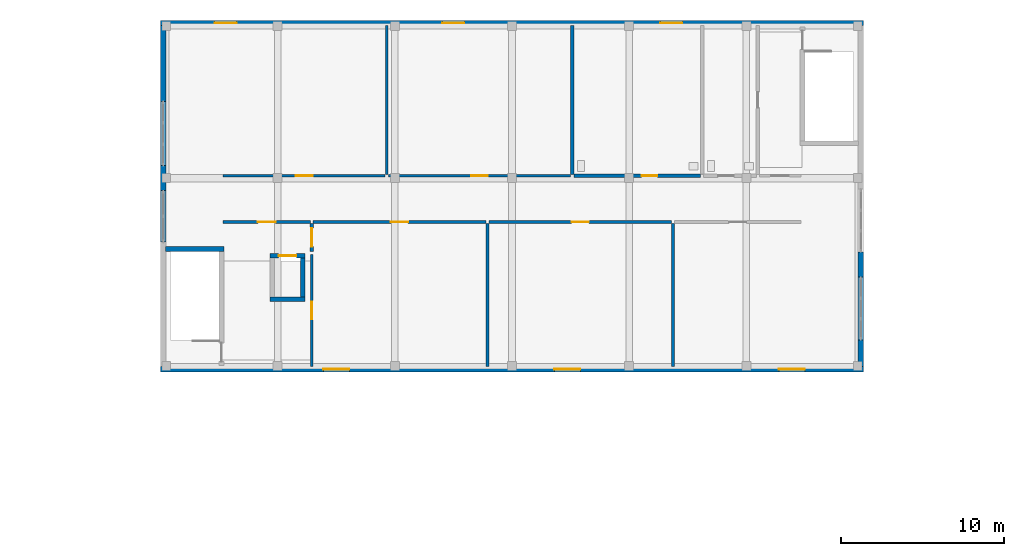
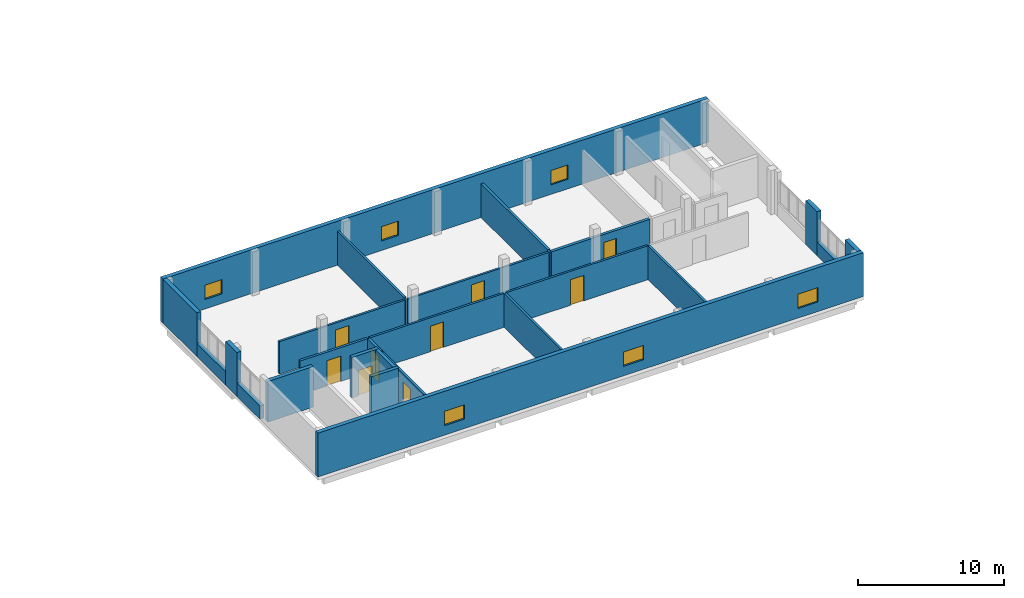
# One storey, part 44 of 73: 25 walls, 9 doors, 6 windows, 15 openings.
"""IFC4 building model written with IfcOpenShell, lengths in metres."""

from ifc_helpers import new_model, si_unit, derived_unit, direction, frame, frame_2d, origin, place, context, subcontext, project, spatial, rectangle, extrude, material, layer, layer_set, type_object, element, fill, save


model = new_model("IFC4")

# Units and contexts
model_context = context("Model", 3, precision=1e-05, world=origin(), true_north=direction((0.0, 1.0)))
body_context = subcontext(model_context, "Body", "Model", "MODEL_VIEW")
ifc_project = project(units=[si_unit("LENGTHUNIT", "METRE"), si_unit("AREAUNIT", "SQUARE_METRE"), si_unit("VOLUMEUNIT", "CUBIC_METRE"), si_unit("PLANEANGLEUNIT", "RADIAN"), si_unit("MASSUNIT", "GRAM", prefix="KILO"), derived_unit("THERMALTRANSMITTANCEUNIT", [(si_unit("MASSUNIT", "GRAM", prefix="KILO"), 1), (si_unit("TIMEUNIT", "SECOND"), -3), (si_unit("THERMODYNAMICTEMPERATUREUNIT", "KELVIN"), -1)])], contexts=[model_context])

# Site, building, storey
site_placement = place(None, origin())
site = spatial("IfcSite", under=ifc_project, at=site_placement, CompositionType="ELEMENT")
building_placement = place(site_placement, origin())
building = spatial("IfcBuilding", under=site, at=building_placement, Name="Ochrekiln Boulevard Commons", CompositionType="ELEMENT")
storey_placement = place(building_placement, frame((0.0, 0.0, 4.89990234375)))
storey = spatial("IfcBuildingStorey", under=building, at=storey_placement, Name="L01", CompositionType="ELEMENT", Elevation=4.89990234375)

# Wall, openings, windows
ifc_material_1 = material(Name="Desert ochre clinker brick masonry ASTM C216 Grade SW", Category="masonry")
ifc_layer_1 = layer(ifc_material_1, 0.320068359375)
ifc_layer_set_1 = layer_set([ifc_layer_1], Name="Desert ochre clinker brick masonry ASTM C216 Grade SW")
wall_type_1 = type_object("IfcWallType", Name="WL-EXT-OCHRE-320", PredefinedType="SOLIDWALL", material=ifc_layer_set_1)
wall_1_placement = place(storey_placement, frame((64.800048828125, 97.360107421875, 0.0), z_axis=(0.0, 0.0, 1.0), x_axis=(1.0, 0.0, 0.0)))
wall_1 = element("IfcWall", 1, at=wall_1_placement, inside=storey, type_object=wall_type_1, Name="Nursery Pavilion L01 S Exterior Wall", PredefinedType="SOLIDWALL", context=body_context, shape_type="SweptSolid", body=[
    extrude(rectangle(XDim=43.199951171875, YDim=0.320068359375, at=frame_2d((21.60009765625, 0.0))), origin(), (0.0, 0.0, 1.0), 3.675048828125),
])
opening_1_placement = place(wall_1_placement, frame((10.0, 0.0, 0.800048828125)))
opening_1 = element("IfcOpeningElement", 2, at=opening_1_placement, cuts=wall_1, Name="Opening W-31", PredefinedType="OPENING", context=body_context, shape_type="SweptSolid", body=[
    extrude(rectangle(XDim=1.60009765625, YDim=1.199951171875, at=frame_2d((0.800048828125, 0.60009765625))), frame((0.0, 0.169921875, 0.0), z_axis=(0.0, -1.0, 0.0), x_axis=(1.0, 0.0, 0.0)), (0.0, 0.0, 1.0), 0.340087890625),
])
opening_2_placement = place(wall_1_placement, frame((24.199951171875, 0.0, 0.800048828125)))
opening_2 = element("IfcOpeningElement", 3, at=opening_2_placement, cuts=wall_1, Name="Opening W-31", PredefinedType="OPENING", context=body_context, shape_type="SweptSolid", body=[
    extrude(rectangle(XDim=1.60009765625, YDim=1.199951171875, at=frame_2d((0.800048828125, 0.60009765625))), frame((0.0, 0.169921875, 0.0), z_axis=(0.0, -1.0, 0.0), x_axis=(1.0, 0.0, 0.0)), (0.0, 0.0, 1.0), 0.340087890625),
])
opening_3_placement = place(wall_1_placement, frame((38.0, 0.0, 0.800048828125)))
opening_3 = element("IfcOpeningElement", 4, at=opening_3_placement, cuts=wall_1, Name="Opening W-31", PredefinedType="OPENING", context=body_context, shape_type="SweptSolid", body=[
    extrude(rectangle(XDim=1.60009765625, YDim=1.199951171875, at=frame_2d((0.800048828125, 0.60009765625))), frame((0.0, 0.169921875, 0.0), z_axis=(0.0, -1.0, 0.0), x_axis=(1.0, 0.0, 0.0)), (0.0, 0.0, 1.0), 0.340087890625),
])
ifc_material_2 = material(Name="Thermally broken aluminium-clad oak frame", Category="aluminium")
window_type_1 = type_object("IfcWindowType", Name="WIN-EXT-31", PartitioningType="DOUBLE_PANEL_VERTICAL", PredefinedType="WINDOW", material=ifc_material_2)
window_1_placement = place(opening_1_placement, origin())
window_1 = element("IfcWindow", 5, at=window_1_placement, inside=storey, type_object=window_type_1, Name="Nursery L01 Play-Court Window 1", OverallHeight=1.199951171875, OverallWidth=1.60009765625, PartitioningType="DOUBLE_PANEL_VERTICAL", PredefinedType="WINDOW", context=body_context, shape_type="SweptSolid", body=[
    extrude(rectangle(XDim=1.60009765625, YDim=1.199951171875, at=frame_2d((0.800048828125, 0.60009765625))), frame((0.0, 0.030029296875, 0.0), z_axis=(0.0, -1.0, 0.0), x_axis=(1.0, 0.0, 0.0)), (0.0, 0.0, 1.0), 0.06005859375),
])
fill(opening_1, window_1)
window_2_placement = place(opening_2_placement, origin())
window_2 = element("IfcWindow", 6, at=window_2_placement, inside=storey, type_object=window_type_1, Name="Nursery L01 Play-Court Window 2", OverallHeight=1.199951171875, OverallWidth=1.60009765625, PartitioningType="DOUBLE_PANEL_VERTICAL", PredefinedType="WINDOW", context=body_context, shape_type="SweptSolid", body=[
    extrude(rectangle(XDim=1.60009765625, YDim=1.199951171875, at=frame_2d((0.800048828125, 0.60009765625))), frame((0.0, 0.030029296875, 0.0), z_axis=(0.0, -1.0, 0.0), x_axis=(1.0, 0.0, 0.0)), (0.0, 0.0, 1.0), 0.06005859375),
])
fill(opening_2, window_2)
window_3_placement = place(opening_3_placement, origin())
window_3 = element("IfcWindow", 7, at=window_3_placement, inside=storey, type_object=window_type_1, Name="Nursery L01 Play-Court Window 3", OverallHeight=1.199951171875, OverallWidth=1.60009765625, PartitioningType="DOUBLE_PANEL_VERTICAL", PredefinedType="WINDOW", context=body_context, shape_type="SweptSolid", body=[
    extrude(rectangle(XDim=1.60009765625, YDim=1.199951171875, at=frame_2d((0.800048828125, 0.60009765625))), frame((0.0, 0.030029296875, 0.0), z_axis=(0.0, -1.0, 0.0), x_axis=(1.0, 0.0, 0.0)), (0.0, 0.0, 1.0), 0.06005859375),
])
fill(opening_3, window_3)

wall_2_placement = place(storey_placement, frame((64.800048828125, 118.639892578125, 0.0), z_axis=(0.0, 0.0, 1.0), x_axis=(1.0, 0.0, 0.0)))
wall_2 = element("IfcWall", 8, at=wall_2_placement, inside=storey, type_object=wall_type_1, Name="Nursery Pavilion L01 N Exterior Wall", PredefinedType="SOLIDWALL", context=body_context, shape_type="SweptSolid", body=[
    extrude(rectangle(XDim=43.199951171875, YDim=0.320068359375, at=frame_2d((21.60009765625, 0.0))), origin(), (0.0, 0.0, 1.0), 3.675048828125),
])
opening_4_placement = place(wall_2_placement, frame((3.324951171875, 0.0, 0.800048828125)))
opening_4 = element("IfcOpeningElement", 9, at=opening_4_placement, cuts=wall_2, Name="Opening W-21", PredefinedType="OPENING", context=body_context, shape_type="SweptSolid", body=[
    extrude(rectangle(XDim=1.35009765625, YDim=1.199951171875, at=frame_2d((0.675048828125, 0.60009765625))), frame((0.0, 0.169921875, 0.0), z_axis=(0.0, -1.0, 0.0), x_axis=(1.0, 0.0, 0.0)), (0.0, 0.0, 1.0), 0.340087890625),
])
opening_5_placement = place(wall_2_placement, frame((17.324951171875, 0.0, 0.800048828125)))
opening_5 = element("IfcOpeningElement", 10, at=opening_5_placement, cuts=wall_2, Name="Opening W-21", PredefinedType="OPENING", context=body_context, shape_type="SweptSolid", body=[
    extrude(rectangle(XDim=1.35009765625, YDim=1.199951171875, at=frame_2d((0.675048828125, 0.60009765625))), frame((0.0, 0.169921875, 0.0), z_axis=(0.0, -1.0, 0.0), x_axis=(1.0, 0.0, 0.0)), (0.0, 0.0, 1.0), 0.340087890625),
])
opening_6_placement = place(wall_2_placement, frame((30.72509765625, 0.0, 0.800048828125)))
opening_6 = element("IfcOpeningElement", 11, at=opening_6_placement, cuts=wall_2, Name="Opening W-21", PredefinedType="OPENING", context=body_context, shape_type="SweptSolid", body=[
    extrude(rectangle(XDim=1.35009765625, YDim=1.199951171875, at=frame_2d((0.675048828125, 0.60009765625))), frame((0.0, 0.169921875, 0.0), z_axis=(0.0, -1.0, 0.0), x_axis=(1.0, 0.0, 0.0)), (0.0, 0.0, 1.0), 0.340087890625),
])
window_type_2 = type_object("IfcWindowType", Name="WIN-EXT-21", PartitioningType="SINGLE_PANEL", PredefinedType="WINDOW", material=ifc_material_2)
window_4_placement = place(opening_4_placement, origin())
window_4 = element("IfcWindow", 12, at=window_4_placement, inside=storey, type_object=window_type_2, Name="Nursery L01 Garden Window 1", OverallHeight=1.199951171875, OverallWidth=1.35009765625, PartitioningType="SINGLE_PANEL", PredefinedType="WINDOW", context=body_context, shape_type="SweptSolid", body=[
    extrude(rectangle(XDim=1.35009765625, YDim=1.199951171875, at=frame_2d((0.675048828125, 0.60009765625))), frame((0.0, 0.030029296875, 0.0), z_axis=(0.0, -1.0, 0.0), x_axis=(1.0, 0.0, 0.0)), (0.0, 0.0, 1.0), 0.06005859375),
])
fill(opening_4, window_4)
window_5_placement = place(opening_5_placement, origin())
window_5 = element("IfcWindow", 13, at=window_5_placement, inside=storey, type_object=window_type_2, Name="Nursery L01 Garden Window 2", OverallHeight=1.199951171875, OverallWidth=1.35009765625, PartitioningType="SINGLE_PANEL", PredefinedType="WINDOW", context=body_context, shape_type="SweptSolid", body=[
    extrude(rectangle(XDim=1.35009765625, YDim=1.199951171875, at=frame_2d((0.675048828125, 0.60009765625))), frame((0.0, 0.030029296875, 0.0), z_axis=(0.0, -1.0, 0.0), x_axis=(1.0, 0.0, 0.0)), (0.0, 0.0, 1.0), 0.06005859375),
])
fill(opening_5, window_5)
window_6_placement = place(opening_6_placement, origin())
window_6 = element("IfcWindow", 14, at=window_6_placement, inside=storey, type_object=window_type_2, Name="Nursery L01 Garden Window 3", OverallHeight=1.199951171875, OverallWidth=1.35009765625, PartitioningType="SINGLE_PANEL", PredefinedType="WINDOW", context=body_context, shape_type="SweptSolid", body=[
    extrude(rectangle(XDim=1.35009765625, YDim=1.199951171875, at=frame_2d((0.675048828125, 0.60009765625))), frame((0.0, 0.030029296875, 0.0), z_axis=(0.0, -1.0, 0.0), x_axis=(1.0, 0.0, 0.0)), (0.0, 0.0, 1.0), 0.06005859375),
])
fill(opening_6, window_6)

# Walls
wall_3_placement = place(storey_placement, frame((64.9599609375, 108.330078125, 0.0), z_axis=(0.0, 0.0, 1.0), x_axis=(0.0, 1.0, 0.0)))
element("IfcWall", 15, at=wall_3_placement, inside=storey, type_object=wall_type_1, Name="Nursery Pavilion L01 W Mullion Pier Wall", PredefinedType="SOLIDWALL", context=body_context, shape_type="SweptSolid", body=[
    extrude(rectangle(XDim=1.5400390625, YDim=0.320068359375, at=frame_2d((0.77001953125, 0.0))), origin(), (0.0, 0.0, 1.0), 3.675048828125),
])
wall_4_placement = place(storey_placement, frame((64.9599609375, 113.830078125, 0.0), z_axis=(0.0, 0.0, 1.0), x_axis=(0.0, 1.0, 0.0)))
element("IfcWall", 16, at=wall_4_placement, inside=storey, type_object=wall_type_1, Name="Nursery Pavilion L01 W North Pier Wall", PredefinedType="SOLIDWALL", context=body_context, shape_type="SweptSolid", body=[
    extrude(rectangle(XDim=4.64990234375, YDim=0.320068359375, at=frame_2d((2.324951171875, 0.0))), origin(), (0.0, 0.0, 1.0), 3.675048828125),
])
wall_5_placement = place(storey_placement, frame((64.9599609375, 105.169921875, 0.0), z_axis=(0.0, 0.0, 1.0), x_axis=(0.0, 1.0, 0.0)))
element("IfcWall", 17, at=wall_5_placement, inside=storey, type_object=wall_type_1, Name="Nursery Pavilion L01 W Garden Sill Wall 1", PredefinedType="SOLIDWALL", context=body_context, shape_type="SweptSolid", body=[
    extrude(rectangle(XDim=3.16015625, YDim=0.320068359375, at=frame_2d((1.580078125, 0.0))), origin(), (0.0, 0.0, 1.0), 1.110107421875),
])
wall_6_placement = place(storey_placement, frame((64.9599609375, 109.8701171875, 0.0), z_axis=(0.0, 0.0, 1.0), x_axis=(0.0, 1.0, 0.0)))
element("IfcWall", 18, at=wall_6_placement, inside=storey, type_object=wall_type_1, Name="Nursery Pavilion L01 W Garden Sill Wall 2", PredefinedType="SOLIDWALL", context=body_context, shape_type="SweptSolid", body=[
    extrude(rectangle(XDim=3.9599609375, YDim=0.320068359375, at=frame_2d((1.97998046875, 0.0))), origin(), (0.0, 0.0, 1.0), 1.110107421875),
])
wall_7_placement = place(storey_placement, frame((107.840087890625, 97.52001953125, 0.0), z_axis=(0.0, 0.0, 1.0), x_axis=(0.0, 1.0, 0.0)))
element("IfcWall", 19, at=wall_7_placement, inside=storey, type_object=wall_type_1, Name="Nursery Pavilion L01 E South Pier Wall", PredefinedType="SOLIDWALL", context=body_context, shape_type="SweptSolid", body=[
    extrude(rectangle(XDim=1.64990234375, YDim=0.320068359375, at=frame_2d((0.824951171875, 0.0))), origin(), (0.0, 0.0, 1.0), 3.675048828125),
])
wall_8_placement = place(storey_placement, frame((107.840087890625, 103.030029296875, 0.0), z_axis=(0.0, 0.0, 1.0), x_axis=(0.0, 1.0, 0.0)))
element("IfcWall", 20, at=wall_8_placement, inside=storey, type_object=wall_type_1, Name="Nursery Pavilion L01 E Mullion Pier Wall", PredefinedType="SOLIDWALL", context=body_context, shape_type="SweptSolid", body=[
    extrude(rectangle(XDim=1.5400390625, YDim=0.320068359375, at=frame_2d((0.77001953125, 0.0))), origin(), (0.0, 0.0, 1.0), 3.675048828125),
])
wall_9_placement = place(storey_placement, frame((107.840087890625, 99.169921875, 0.0), z_axis=(0.0, 0.0, 1.0), x_axis=(0.0, 1.0, 0.0)))
element("IfcWall", 21, at=wall_9_placement, inside=storey, type_object=wall_type_1, Name="Nursery Pavilion L01 E Garden Sill Wall 1", PredefinedType="SOLIDWALL", context=body_context, shape_type="SweptSolid", body=[
    extrude(rectangle(XDim=3.860107421875, YDim=0.320068359375, at=frame_2d((1.93017578125, 0.0))), origin(), (0.0, 0.0, 1.0), 1.110107421875),
])
ifc_material_3 = material(Name="Moisture-resistant cementitious tile backer wall")
ifc_layer_2 = layer(ifc_material_3, 0.199951171875)
ifc_layer_set_2 = layer_set([ifc_layer_2], Name="Moisture-resistant cementitious tile backer wall")
wall_type_2 = type_object("IfcWallType", Name="WL-PLM-200", PredefinedType="PLUMBINGWALL", material=ifc_layer_set_2)
wall_10_placement = place(storey_placement, frame((90.10009765625, 109.343017578125, 0.0), z_axis=(0.0, 0.0, 1.0), x_axis=(0.0, 1.0, 0.0)))
element("IfcWall", 22, at=wall_10_placement, inside=storey, type_object=wall_type_2, Name="L01 Interior Wall W-PW200", PredefinedType="PLUMBINGWALL", context=body_context, shape_type="SweptSolid", body=[
    extrude(rectangle(XDim=9.136962890625, YDim=0.199951171875, at=frame_2d((4.568359375, 0.0))), origin(), (0.0, 0.0, 1.0), 2.840087890625),
])

# Wall, opening, door
ifc_layer_3 = layer(ifc_material_3, 0.219970703125)
ifc_layer_set_3 = layer_set([ifc_layer_3], Name="Moisture-resistant cementitious tile backer wall")
wall_type_3 = type_object("IfcWallType", Name="WL-PLM-220", PredefinedType="PLUMBINGWALL", material=ifc_layer_set_3)
wall_11_placement = place(storey_placement, frame((90.199951171875, 109.260009765625, 0.0), z_axis=(0.0, 0.0, 1.0), x_axis=(1.0, 0.0, 0.0)))
wall_11 = element("IfcWall", 23, at=wall_11_placement, inside=storey, type_object=wall_type_3, Name="L01 Interior Wall W-PW220", PredefinedType="PLUMBINGWALL", context=body_context, shape_type="SweptSolid", body=[
    extrude(rectangle(XDim=7.800048828125, YDim=0.219970703125, at=frame_2d((3.89990234375, 0.0))), origin(), (0.0, 0.0, 1.0), 2.72509765625),
])
opening_7_placement = place(wall_11_placement, frame((4.169921875, 0.0, 0.0)))
opening_7 = element("IfcOpeningElement", 24, at=opening_7_placement, cuts=wall_11, Name="Opening D-L01-288", PredefinedType="OPENING", context=body_context, shape_type="SweptSolid", body=[
    extrude(rectangle(XDim=0.9599609375, YDim=2.050048828125, at=frame_2d((0.47998046875, 1.02490234375))), frame((0.0, 0.119873046875, 0.0), z_axis=(0.0, -1.0, 0.0), x_axis=(1.0, 0.0, 0.0)), (0.0, 0.0, 1.0), 0.239990234375),
])
ifc_material_4 = material(Name="Solid core architectural oak door leaf")
door_type_1 = type_object("IfcDoorType", Name="DR-INT-ADA-096", OperationType="NOTDEFINED", PredefinedType="DOOR", material=ifc_material_4)
door_1_placement = place(opening_7_placement, origin())
door_1 = element("IfcDoor", 25, at=door_1_placement, inside=storey, type_object=door_type_1, Name="L01 Interior Door to Children Accessible Washroom and WC", OperationType="SINGLE_SWING_RIGHT", OverallHeight=2.050048828125, OverallWidth=0.9599609375, PredefinedType="DOOR", context=body_context, shape_type="SweptSolid", body=[
    extrude(rectangle(XDim=0.9599609375, YDim=2.050048828125, at=frame_2d((0.47998046875, 1.02490234375))), frame((0.0, 0.02490234375, 0.0), z_axis=(0.0, -1.0, 0.0), x_axis=(1.0, 0.0, 0.0)), (0.0, 0.0, 1.0), 0.050048828125),
])
fill(opening_7, door_1)

# Walls
ifc_material_5 = material(Name="Fire-rated Type X gypsum board on steel studs", Category="steel")
ifc_layer_4 = layer(ifc_material_5, 0.169921875)
ifc_layer_set_4 = layer_set([ifc_layer_4], Name="Fire-rated Type X gypsum board on steel studs")
wall_type_4 = type_object("IfcWallType", Name="WL-PT-CIV-170", PredefinedType="PARTITIONING", material=ifc_layer_set_4)
for number, where, z_axis, x_axis, name in (
    (26, (84.89990234375, 97.52001953125, 0.0), (0.0, 0.0, 1.0), (0.0, 1.0, 0.0), "L01 Interior Wall W-PV170"),
    (27, (96.300048828125, 97.52001953125, 0.0), (0.0, 0.0, 1.0), (0.0, 1.0, 0.0), "L01 Interior Wall W-PV170"),
):
    element("IfcWall", number, at=place(storey_placement, frame(where, z_axis=z_axis, x_axis=x_axis)), inside=storey, type_object=wall_type_4, Name=name, PredefinedType="PARTITIONING", context=body_context, shape_type="SweptSolid", body=[
        extrude(rectangle(XDim=8.807861328125, YDim=0.169921875, at=frame_2d((4.40380859375, 0.0))), origin(), (0.0, 0.0, 1.0), 2.840087890625),
    ])
wall_12_placement = place(storey_placement, frame((78.699951171875, 109.343017578125, 0.0), z_axis=(0.0, 0.0, 1.0), x_axis=(0.0, 1.0, 0.0)))
element("IfcWall", 28, at=wall_12_placement, inside=storey, type_object=wall_type_4, Name="L01 Interior Wall W-PV170", PredefinedType="PARTITIONING", context=body_context, shape_type="SweptSolid", body=[
    extrude(rectangle(XDim=9.136962890625, YDim=0.169921875, at=frame_2d((4.568359375, 0.0))), origin(), (0.0, 0.0, 1.0), 2.840087890625),
])

# Wall, opening, door
ifc_layer_5 = layer(ifc_material_5, 0.1650390625)
ifc_layer_set_5 = layer_set([ifc_layer_5], Name="Fire-rated Type X gypsum board on steel studs")
wall_type_5 = type_object("IfcWallType", Name="WL-PT-CORR-165", PredefinedType="PARTITIONING", material=ifc_layer_set_5)
wall_13_placement = place(storey_placement, frame((74.090087890625, 97.52001953125, 0.0), z_axis=(0.0, 0.0, 1.0), x_axis=(0.0, 1.0, 0.0)))
wall_13 = element("IfcWall", 29, at=wall_13_placement, inside=storey, type_object=wall_type_5, Name="L01 Interior Wall W-PC165", PredefinedType="PARTITIONING", context=body_context, shape_type="SweptSolid", body=[
    extrude(rectangle(XDim=6.89990234375, YDim=0.1650390625, at=frame_2d((3.449951171875, 0.0))), origin(), (0.0, 0.0, 1.0), 2.840087890625),
])
opening_8_placement = place(wall_13_placement, frame((2.919921875, 0.0, 0.0)))
opening_8 = element("IfcOpeningElement", 30, at=opening_8_placement, cuts=wall_13, Name="Opening D-L01-279", PredefinedType="OPENING", context=body_context, shape_type="SweptSolid", body=[
    extrude(rectangle(XDim=1.06005859375, YDim=2.139892578125, at=frame_2d((0.530029296875, 1.06982421875))), frame((0.0, 0.092529296875, 0.0), z_axis=(0.0, -1.0, 0.0), x_axis=(1.0, 0.0, 0.0)), (0.0, 0.0, 1.0), 0.18505859375),
])
door_type_2 = type_object("IfcDoorType", Name="DR-INT-NUR-106", OperationType="NOTDEFINED", PredefinedType="DOOR", material=ifc_material_4)
door_2_placement = place(opening_8_placement, frame((1.06005859375, 0.0, 0.0), z_axis=(0.0, 0.0, 1.0), x_axis=(-1.0, 0.0, 0.0)))
door_2 = element("IfcDoor", 31, at=door_2_placement, inside=storey, type_object=door_type_2, Name="L01 Interior Door to Nursery Preschool Classroom 1", OperationType="SINGLE_SWING_LEFT", OverallHeight=2.139892578125, OverallWidth=1.06005859375, PredefinedType="DOOR", context=body_context, shape_type="SweptSolid", body=[
    extrude(rectangle(XDim=1.06005859375, YDim=2.139892578125, at=frame_2d((0.530029296875, 1.06982421875))), frame((0.0, 0.02490234375, 0.0), z_axis=(0.0, -1.0, 0.0), x_axis=(1.0, 0.0, 0.0)), (0.0, 0.0, 1.0), 0.050048828125),
])
fill(opening_8, door_2)

wall_14_placement = place(storey_placement, frame((74.179931640625, 106.409912109375, 0.0), z_axis=(0.0, 0.0, 1.0), x_axis=(1.0, 0.0, 0.0)))
wall_14 = element("IfcWall", 32, at=wall_14_placement, inside=storey, type_object=wall_type_5, Name="L01 Interior Wall W-PC165", PredefinedType="PARTITIONING", context=body_context, shape_type="SweptSolid", body=[
    extrude(rectangle(XDim=10.6201171875, YDim=0.1650390625, at=frame_2d((5.31005859375, 0.0))), origin(), (0.0, 0.0, 1.0), 2.840087890625),
])
opening_9_placement = place(wall_14_placement, frame((4.780029296875, 0.0, 0.0)))
opening_9 = element("IfcOpeningElement", 33, at=opening_9_placement, cuts=wall_14, Name="Opening D-L01-283", PredefinedType="OPENING", context=body_context, shape_type="SweptSolid", body=[
    extrude(rectangle(XDim=1.06005859375, YDim=2.139892578125, at=frame_2d((0.530029296875, 1.06982421875))), frame((0.0, 0.092529296875, 0.0), z_axis=(0.0, -1.0, 0.0), x_axis=(1.0, 0.0, 0.0)), (0.0, 0.0, 1.0), 0.18505859375),
])
door_3_placement = place(opening_9_placement, frame((1.06005859375, 0.0, 0.0), z_axis=(0.0, 0.0, 1.0), x_axis=(-1.0, 0.0, 0.0)))
door_3 = element("IfcDoor", 34, at=door_3_placement, inside=storey, type_object=door_type_2, Name="L01 Interior Door to Nursery Preschool Classroom 1", OperationType="SINGLE_SWING_LEFT", OverallHeight=2.139892578125, OverallWidth=1.06005859375, PredefinedType="DOOR", context=body_context, shape_type="SweptSolid", body=[
    extrude(rectangle(XDim=1.06005859375, YDim=2.139892578125, at=frame_2d((0.530029296875, 1.06982421875))), frame((0.0, 0.02490234375, 0.0), z_axis=(0.0, -1.0, 0.0), x_axis=(1.0, 0.0, 0.0)), (0.0, 0.0, 1.0), 0.050048828125),
])
fill(opening_9, door_3)

wall_15_placement = place(storey_placement, frame((85.0, 106.409912109375, 0.0), z_axis=(0.0, 0.0, 1.0), x_axis=(1.0, 0.0, 0.0)))
wall_15 = element("IfcWall", 35, at=wall_15_placement, inside=storey, type_object=wall_type_5, Name="L01 Interior Wall W-PC165", PredefinedType="PARTITIONING", context=body_context, shape_type="SweptSolid", body=[
    extrude(rectangle(XDim=11.199951171875, YDim=0.1650390625, at=frame_2d((5.60009765625, 0.0))), origin(), (0.0, 0.0, 1.0), 2.840087890625),
])
opening_10_placement = place(wall_15_placement, frame((5.070068359375, 0.0, 0.0)))
opening_10 = element("IfcOpeningElement", 36, at=opening_10_placement, cuts=wall_15, Name="Opening D-L01-284", PredefinedType="OPENING", context=body_context, shape_type="SweptSolid", body=[
    extrude(rectangle(XDim=1.06005859375, YDim=2.139892578125, at=frame_2d((0.530029296875, 1.06982421875))), frame((0.0, 0.092529296875, 0.0), z_axis=(0.0, -1.0, 0.0), x_axis=(1.0, 0.0, 0.0)), (0.0, 0.0, 1.0), 0.18505859375),
])
door_4_placement = place(opening_10_placement, frame((1.06005859375, 0.0, 0.0), z_axis=(0.0, 0.0, 1.0), x_axis=(-1.0, 0.0, 0.0)))
door_4 = element("IfcDoor", 37, at=door_4_placement, inside=storey, type_object=door_type_2, Name="L01 Interior Door to Nursery Preschool Classroom 2", OperationType="SINGLE_SWING_RIGHT", OverallHeight=2.139892578125, OverallWidth=1.06005859375, PredefinedType="DOOR", context=body_context, shape_type="SweptSolid", body=[
    extrude(rectangle(XDim=1.06005859375, YDim=2.139892578125, at=frame_2d((0.530029296875, 1.06982421875))), frame((0.0, 0.02490234375, 0.0), z_axis=(0.0, -1.0, 0.0), x_axis=(1.0, 0.0, 0.0)), (0.0, 0.0, 1.0), 0.050048828125),
])
fill(opening_10, door_4)

wall_16_placement = place(storey_placement, frame((68.64990234375, 109.260009765625, 0.0), z_axis=(0.0, 0.0, 1.0), x_axis=(1.0, 0.0, 0.0)))
wall_16 = element("IfcWall", 38, at=wall_16_placement, inside=storey, type_object=wall_type_5, Name="L01 Interior Wall W-PC165", PredefinedType="PARTITIONING", context=body_context, shape_type="SweptSolid", body=[
    extrude(rectangle(XDim=9.9501953125, YDim=0.1650390625, at=frame_2d((4.97509765625, 0.0))), origin(), (0.0, 0.0, 1.0), 2.72509765625),
])
opening_11_placement = place(wall_16_placement, frame((4.445068359375, 0.0, 0.0)))
opening_11 = element("IfcOpeningElement", 39, at=opening_11_placement, cuts=wall_16, Name="Opening D-L01-286", PredefinedType="OPENING", context=body_context, shape_type="SweptSolid", body=[
    extrude(rectangle(XDim=1.06005859375, YDim=2.139892578125, at=frame_2d((0.530029296875, 1.06982421875))), frame((0.0, 0.092529296875, 0.0), z_axis=(0.0, -1.0, 0.0), x_axis=(1.0, 0.0, 0.0)), (0.0, 0.0, 1.0), 0.18505859375),
])
door_5_placement = place(opening_11_placement, origin())
door_5 = element("IfcDoor", 40, at=door_5_placement, inside=storey, type_object=door_type_2, Name="L01 Interior Door to Nursery Quiet Nap Room", OperationType="SINGLE_SWING_RIGHT", OverallHeight=2.139892578125, OverallWidth=1.06005859375, PredefinedType="DOOR", context=body_context, shape_type="SweptSolid", body=[
    extrude(rectangle(XDim=1.06005859375, YDim=2.139892578125, at=frame_2d((0.530029296875, 1.06982421875))), frame((0.0, 0.02490234375, 0.0), z_axis=(0.0, -1.0, 0.0), x_axis=(1.0, 0.0, 0.0)), (0.0, 0.0, 1.0), 0.050048828125),
])
fill(opening_11, door_5)

wall_17_placement = place(storey_placement, frame((78.800048828125, 109.260009765625, 0.0), z_axis=(0.0, 0.0, 1.0), x_axis=(1.0, 0.0, 0.0)))
wall_17 = element("IfcWall", 41, at=wall_17_placement, inside=storey, type_object=wall_type_5, Name="L01 Interior Wall W-PC165", PredefinedType="PARTITIONING", context=body_context, shape_type="SweptSolid", body=[
    extrude(rectangle(XDim=11.199951171875, YDim=0.1650390625, at=frame_2d((5.60009765625, 0.0))), origin(), (0.0, 0.0, 1.0), 2.72509765625),
])
opening_12_placement = place(wall_17_placement, frame((5.090087890625, 0.0, 0.0)))
opening_12 = element("IfcOpeningElement", 42, at=opening_12_placement, cuts=wall_17, Name="Opening D-L01-287", PredefinedType="OPENING", context=body_context, shape_type="SweptSolid", body=[
    extrude(rectangle(XDim=1.02001953125, YDim=2.159912109375, at=frame_2d((0.510009765625, 1.080078125))), frame((0.0, 0.092529296875, 0.0), z_axis=(0.0, -1.0, 0.0), x_axis=(1.0, 0.0, 0.0)), (0.0, 0.0, 1.0), 0.18505859375),
])
door_type_3 = type_object("IfcDoorType", Name="DR-INT-CIV-102", OperationType="NOTDEFINED", PredefinedType="DOOR", material=ifc_material_4)
door_6_placement = place(opening_12_placement, origin())
door_6 = element("IfcDoor", 43, at=door_6_placement, inside=storey, type_object=door_type_3, Name="L01 Interior Door to Nursery Staff Suite and Office", OperationType="SINGLE_SWING_LEFT", OverallHeight=2.159912109375, OverallWidth=1.02001953125, PredefinedType="DOOR", context=body_context, shape_type="SweptSolid", body=[
    extrude(rectangle(XDim=1.02001953125, YDim=2.159912109375, at=frame_2d((0.510009765625, 1.080078125))), frame((0.0, 0.02490234375, 0.0), z_axis=(0.0, -1.0, 0.0), x_axis=(1.0, 0.0, 0.0)), (0.0, 0.0, 1.0), 0.050048828125),
])
fill(opening_12, door_6)

ifc_layer_6 = layer(ifc_material_5, 0.18994140625)
ifc_layer_set_6 = layer_set([ifc_layer_6], Name="Fire-rated Type X gypsum board on steel studs")
wall_type_6 = type_object("IfcWallType", Name="WL-PT-LBY-190", PredefinedType="PARTITIONING", material=ifc_layer_set_6)
wall_18_placement = place(storey_placement, frame((68.64990234375, 106.409912109375, 0.0), z_axis=(0.0, 0.0, 1.0), x_axis=(1.0, 0.0, 0.0)))
wall_18 = element("IfcWall", 44, at=wall_18_placement, inside=storey, type_object=wall_type_6, Name="L01 Interior Wall W-PL190", PredefinedType="PARTITIONING", context=body_context, shape_type="SweptSolid", body=[
    extrude(rectangle(XDim=5.35009765625, YDim=0.18994140625, at=frame_2d((2.675048828125, 0.0))), origin(), (0.0, 0.0, 1.0), 2.840087890625),
])
opening_13_placement = place(wall_18_placement, frame((2.125, 0.0, 0.0)))
opening_13 = element("IfcOpeningElement", 45, at=opening_13_placement, cuts=wall_18, Name="Opening D-L01-280", PredefinedType="OPENING", context=body_context, shape_type="SweptSolid", body=[
    extrude(rectangle(XDim=1.10009765625, YDim=2.1201171875, at=frame_2d((0.550048828125, 1.06005859375))), frame((0.0, 0.10498046875, 0.0), z_axis=(0.0, -1.0, 0.0), x_axis=(1.0, 0.0, 0.0)), (0.0, 0.0, 1.0), 0.2099609375),
])
ifc_material_6 = material(Name="Hollow metal fire-rated steel door assembly", Category="steel")
door_type_4 = type_object("IfcDoorType", Name="DR-LOBBY-60", OperationType="NOTDEFINED", PredefinedType="DOOR", material=ifc_material_6)
door_7_placement = place(opening_13_placement, frame((1.10009765625, 0.0, 0.0), z_axis=(0.0, 0.0, 1.0), x_axis=(-1.0, 0.0, 0.0)))
door_7 = element("IfcDoor", 46, at=door_7_placement, inside=storey, type_object=door_type_4, Name="L01 Interior Door to Passenger Elevator Lobby", OperationType="SINGLE_SWING_RIGHT", OverallHeight=2.1201171875, OverallWidth=1.10009765625, PredefinedType="DOOR", context=body_context, shape_type="SweptSolid", body=[
    extrude(rectangle(XDim=1.10009765625, YDim=2.1201171875, at=frame_2d((0.550048828125, 1.06005859375))), frame((0.0, 0.02490234375, 0.0), z_axis=(0.0, -1.0, 0.0), x_axis=(1.0, 0.0, 0.0)), (0.0, 0.0, 1.0), 0.050048828125),
])
fill(opening_13, door_7)

wall_19_placement = place(storey_placement, frame((74.090087890625, 104.60009765625, 0.0), z_axis=(0.0, 0.0, 1.0), x_axis=(0.0, 1.0, 0.0)))
wall_19 = element("IfcWall", 47, at=wall_19_placement, inside=storey, type_object=wall_type_6, Name="L01 Interior Wall W-PL190", PredefinedType="PARTITIONING", context=body_context, shape_type="SweptSolid", body=[
    extrude(rectangle(XDim=1.719970703125, YDim=0.18994140625, at=frame_2d((0.85986328125, 0.0))), origin(), (0.0, 0.0, 1.0), 2.840087890625),
])
opening_14_placement = place(wall_19_placement, frame((0.2900390625, 0.0, 0.0)))
opening_14 = element("IfcOpeningElement", 48, at=opening_14_placement, cuts=wall_19, Name="Opening D-L01-281", PredefinedType="OPENING", context=body_context, shape_type="SweptSolid", body=[
    extrude(rectangle(XDim=1.139892578125, YDim=2.179931640625, at=frame_2d((0.56982421875, 1.08984375))), frame((0.0, 0.10498046875, 0.0), z_axis=(0.0, -1.0, 0.0), x_axis=(1.0, 0.0, 0.0)), (0.0, 0.0, 1.0), 0.2099609375),
])
door_type_5 = type_object("IfcDoorType", Name="DR-INT-CIV-114", OperationType="NOTDEFINED", PredefinedType="DOOR", material=ifc_material_4)
door_8_placement = place(opening_14_placement, frame((1.139892578125, 0.0, 0.0), z_axis=(0.0, 0.0, 1.0), x_axis=(-1.0, 0.0, 0.0)))
door_8 = element("IfcDoor", 49, at=door_8_placement, inside=storey, type_object=door_type_5, Name="L01 Interior Door to Nursery Preschool Classroom 1", OperationType="SINGLE_SWING_LEFT", OverallHeight=2.179931640625, OverallWidth=1.139892578125, PredefinedType="DOOR", context=body_context, shape_type="SweptSolid", body=[
    extrude(rectangle(XDim=1.139892578125, YDim=2.179931640625, at=frame_2d((0.56982421875, 1.08984375))), frame((0.0, 0.02490234375, 0.0), z_axis=(0.0, -1.0, 0.0), x_axis=(1.0, 0.0, 0.0)), (0.0, 0.0, 1.0), 0.050048828125),
])
fill(opening_14, door_8)

# Wall
ifc_material_7 = material(Name="Concrete C40/50", Category="concrete")
ifc_layer_7 = layer(ifc_material_7, 0.27490234375)
ifc_layer_set_7 = layer_set([ifc_layer_7], Name="Concrete C40/50")
wall_type_7 = type_object("IfcWallType", Name="WL-SH-275", PredefinedType="SHEAR", material=ifc_layer_set_7)
wall_20_placement = place(storey_placement, frame((71.52490234375, 101.66259765625, 0.0), z_axis=(0.0, 0.0, 1.0), x_axis=(1.0, 0.0, 0.0)))
element("IfcWall", 50, at=wall_20_placement, inside=storey, type_object=wall_type_7, Name="Elevator LP-N1 L01 Hoistway Shear Wall", PredefinedType="SHEAR", context=body_context, shape_type="SweptSolid", body=[
    extrude(rectangle(XDim=2.150146484375, YDim=0.27490234375, at=frame_2d((1.0751953125, 0.0))), origin(), (0.0, 0.0, 1.0), 3.405029296875),
])

# Wall, opening, door
wall_21_placement = place(storey_placement, frame((71.52490234375, 104.33740234375, 0.0), z_axis=(0.0, 0.0, 1.0), x_axis=(1.0, 0.0, 0.0)))
wall_21 = element("IfcWall", 51, at=wall_21_placement, inside=storey, type_object=wall_type_7, Name="Elevator LP-N1 L01 Hoistway Shear Wall", PredefinedType="SHEAR", context=body_context, shape_type="SweptSolid", body=[
    extrude(rectangle(XDim=2.150146484375, YDim=0.27490234375, at=frame_2d((1.0751953125, 0.0))), origin(), (0.0, 0.0, 1.0), 3.405029296875),
])
opening_15_placement = place(wall_21_placement, frame((0.52490234375, 0.0, 0.0)))
opening_15 = element("IfcOpeningElement", 52, at=opening_15_placement, cuts=wall_21, Name="Opening LD-LP-N1-L01", PredefinedType="OPENING", context=body_context, shape_type="SweptSolid", body=[
    extrude(rectangle(XDim=1.10009765625, YDim=2.14990234375, at=frame_2d((0.550048828125, 1.074951171875))), frame((0.0, 0.1474609375, 0.0), z_axis=(0.0, -1.0, 0.0), x_axis=(1.0, 0.0, 0.0)), (0.0, 0.0, 1.0), 0.294921875),
])
ifc_material_8 = material(Name="Brushed stainless steel 316 elevator cab and doors", Category="steel")
door_type_6 = type_object("IfcDoorType", Name="DR-LIFT-LD90", OperationType="SLIDING_TO_LEFT", PredefinedType="DOOR", material=ifc_material_8)
door_9_placement = place(opening_15_placement, origin())
door_9 = element("IfcDoor", 53, at=door_9_placement, inside=storey, type_object=door_type_6, Name="Elevator LP-N1 L01 Sliding Landing Door LD-LP-N1-L01", OperationType="SLIDING_TO_LEFT", OverallHeight=2.14990234375, OverallWidth=1.10009765625, PredefinedType="DOOR", context=body_context, shape_type="SweptSolid", body=[
    extrude(rectangle(XDim=1.10009765625, YDim=2.14990234375, at=frame_2d((0.550048828125, 1.074951171875))), frame((0.0, 0.02490234375, 0.0), z_axis=(0.0, -1.0, 0.0), x_axis=(1.0, 0.0, 0.0)), (0.0, 0.0, 1.0), 0.050048828125),
])
fill(opening_15, door_9)

# Walls
wall_22_placement = place(storey_placement, frame((73.53759765625, 101.800048828125, 0.0), z_axis=(0.0, 0.0, 1.0), x_axis=(0.0, 1.0, 0.0)))
element("IfcWall", 54, at=wall_22_placement, inside=storey, type_object=wall_type_7, Name="Elevator LP-N1 L01 Hoistway Shear Wall", PredefinedType="SHEAR", context=body_context, shape_type="SweptSolid", body=[
    extrude(rectangle(XDim=2.39990234375, YDim=0.27490234375, at=frame_2d((1.199951171875, 0.0))), origin(), (0.0, 0.0, 1.0), 3.405029296875),
])
ifc_layer_8 = layer(ifc_material_7, 0.300048828125)
ifc_layer_set_8 = layer_set([ifc_layer_8], Name="Concrete C40/50")
wall_type_8 = type_object("IfcWallType", Name="WL-SH-300", PredefinedType="SHEAR", material=ifc_layer_set_8)
wall_23_placement = place(storey_placement, frame((65.10009765625, 104.75, 0.0), z_axis=(0.0, 0.0, 1.0), x_axis=(1.0, 0.0, 0.0)))
element("IfcWall", 55, at=wall_23_placement, inside=storey, type_object=wall_type_8, Name="Stair ST-N1 L01 Core Shear Wall N", PredefinedType="SHEAR", context=body_context, shape_type="SweptSolid", body=[
    extrude(rectangle(XDim=3.599853515625, YDim=0.300048828125, at=frame_2d((1.7998046875, 0.0))), origin(), (0.0, 0.0, 1.0), 3.405029296875),
])

save(model, "model.ifc")
